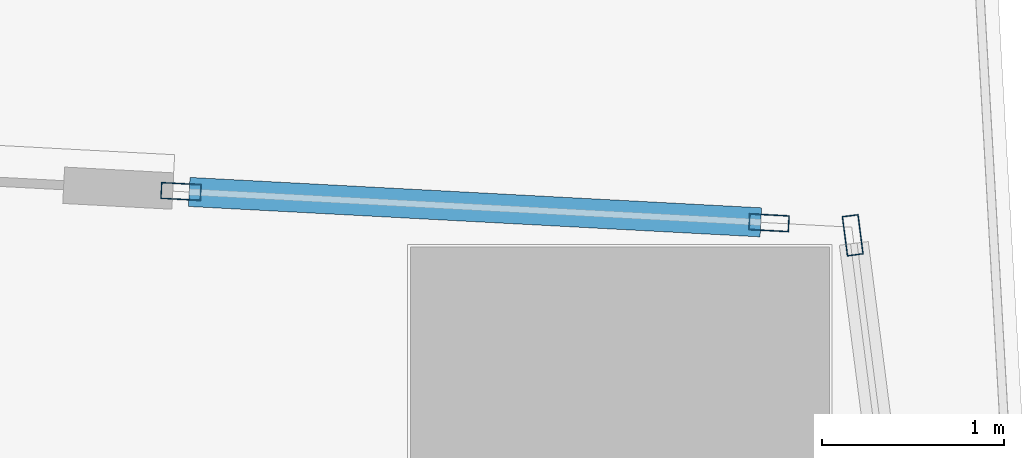
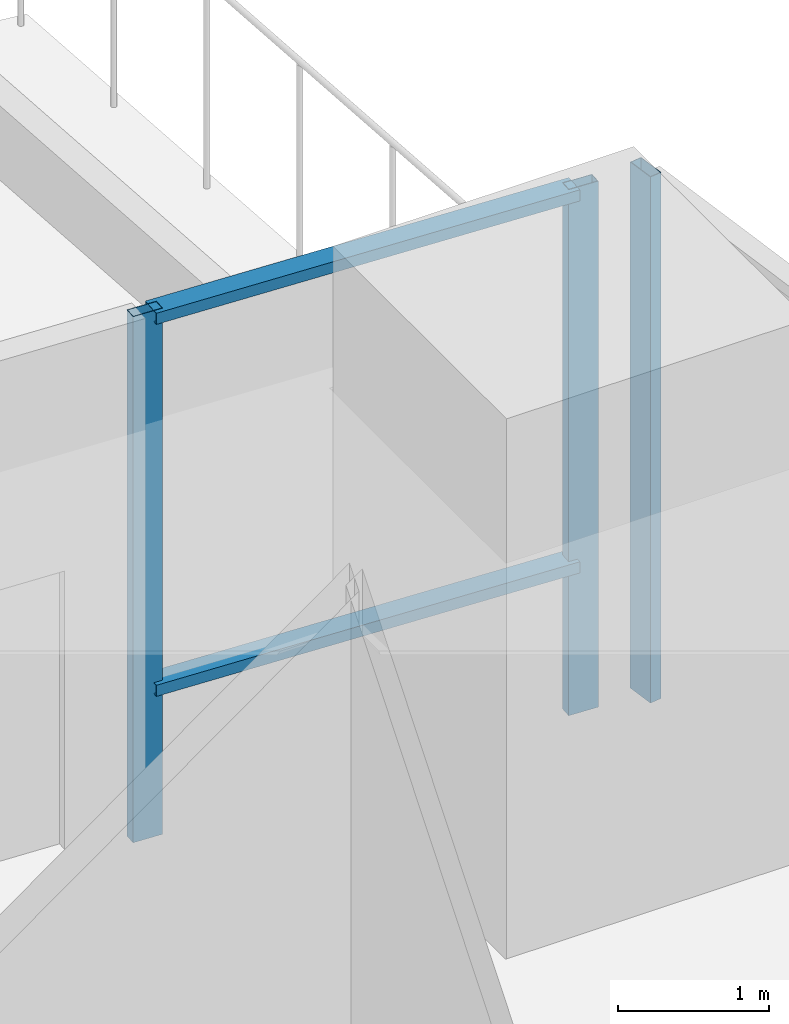
# One storey, part 12 of 39: 5 members, 2 elements without a shape of their own.
"""IFC4 building model written with IfcOpenShell, lengths in metres."""

from ifc_helpers import new_model, si_unit, direction, frame, origin, origin_2d, place, context, subcontext, project, spatial, hollow_rectangle, extrude, material, material_profile, profile_set, type_object, element, aggregate, save


model = new_model("IFC4")

# Units and contexts
model_context = context("Model", 3, precision=1e-05, world=origin(), true_north=direction((0.0, 1.0)))
body_context = subcontext(model_context, "Body", "Model", "MODEL_VIEW")
ifc_project = project(units=[si_unit("LENGTHUNIT", "METRE"), si_unit("AREAUNIT", "SQUARE_METRE"), si_unit("VOLUMEUNIT", "CUBIC_METRE"), si_unit("PLANEANGLEUNIT", "RADIAN"), si_unit("MASSUNIT", "GRAM", prefix="KILO")], contexts=[model_context])

# Site, building, storey
site_placement = place(None, origin())
site = spatial("IfcSite", under=ifc_project, at=site_placement, CompositionType="ELEMENT")
building_placement = place(site_placement, origin())
building = spatial("IfcBuilding", under=site, at=building_placement, Name="Rekha Terrace Tower", CompositionType="ELEMENT")
storey_placement = place(building_placement, frame((0.0, 0.0, 245.60009765625)))
storey = spatial("IfcBuildingStorey", under=building, at=storey_placement, Name="L62", CompositionType="ELEMENT", Elevation=245.60009765625)

# Curtain wall, member
ifc_material_1 = material(Name="Aluminium framing", Category="aluminium")
curtain_wall_type = type_object("IfcCurtainWallType", Name="CW5 sky garden glazing", PredefinedType="USERDEFINED", material=ifc_material_1)
curtain_wall_1_placement = place(storey_placement, origin())
curtain_wall_1 = element("IfcCurtainWall", 1, at=curtain_wall_1_placement, inside=storey, type_object=curtain_wall_type, Name="CW5 sky garden curtain wall", ObjectType="SKY GARDEN CURTAIN WALL", PredefinedType="USERDEFINED")
ifc_material_2 = material(Name="Aluminium mullion section", Category="aluminium")
ifc_material_profile_1 = material_profile(ifc_material_2, hollow_rectangle(XDim=0.090087890625, YDim=0.219970703125, WallThickness=0.00390625, at=origin_2d()), Name="AL RHS 90x220")
ifc_profile_set_1 = profile_set([ifc_material_profile_1], Name="Aluminium mullion section")
member_type_1 = type_object("IfcMemberType", Name="CW5 mullion RHS 90 x 220", PredefinedType="MULLION", material=ifc_profile_set_1)
member_1_placement = place(storey_placement, frame((60.07861328125, 51.614501953125, 0.0), z_axis=(0.0, 0.0, 1.0), x_axis=(-0.991790949463, -0.127869904835, 0.0)))
member_1 = element("IfcMember", 2, at=member_1_placement, type_object=member_type_1, Name="CW5 mullion 2", PredefinedType="MULLION", context=body_context, shape_type="SweptSolid", body=[
    extrude(hollow_rectangle(XDim=0.090087890625, YDim=0.219970703125, WallThickness=0.00390625, at=origin_2d()), origin(), (0.0, 0.0, 1.0), 4.25),
])
aggregate(curtain_wall_1, [member_1])

# Curtain wall, members
curtain_wall_2_placement = place(storey_placement, origin())
curtain_wall_2 = element("IfcCurtainWall", 3, at=curtain_wall_2_placement, inside=storey, type_object=curtain_wall_type, Name="CW5 sky garden curtain wall", ObjectType="SKY GARDEN CURTAIN WALL", PredefinedType="USERDEFINED")
member_2_placement = place(storey_placement, frame((59.618896484375, 51.683349609375, 0.0), z_axis=(0.0, 0.0, 1.0), x_axis=(-0.053083275628, -0.998590089, 0.0)))
member_2 = element("IfcMember", 4, at=member_2_placement, type_object=member_type_1, Name="CW5 mullion 1", PredefinedType="MULLION", context=body_context, shape_type="SweptSolid", body=[
    extrude(hollow_rectangle(XDim=0.090087890625, YDim=0.219970703125, WallThickness=0.00390625, at=origin_2d()), origin(), (0.0, 0.0, 1.0), 4.25),
])
member_3_placement = place(storey_placement, frame((56.389892578125, 51.85498046875, 0.0), z_axis=(0.0, 0.0, 1.0), x_axis=(-0.053083275628, -0.998590089, 0.0)))
member_3 = element("IfcMember", 5, at=member_3_placement, type_object=member_type_1, Name="CW5 mullion 2", PredefinedType="MULLION", context=body_context, shape_type="SweptSolid", body=[
    extrude(hollow_rectangle(XDim=0.090087890625, YDim=0.219970703125, WallThickness=0.00390625, at=origin_2d()), origin(), (0.0, 0.0, 1.0), 4.25),
])
ifc_material_3 = material(Name="Aluminium transom section", Category="aluminium")
ifc_material_profile_2 = material_profile(ifc_material_3, hollow_rectangle(XDim=0.159912109375, YDim=0.090087890625, WallThickness=0.0029296875, at=origin_2d()), Name="AL RHS 160x90")
ifc_profile_set_2 = profile_set([ifc_material_profile_2], Name="Aluminium transom section")
member_type_2 = type_object("IfcMemberType", Name="CW5 transom RHS 90 x 160", PredefinedType="USERDEFINED", material=ifc_profile_set_2)
member_4_placement = place(storey_placement, frame((59.573974609375, 51.685546875, 1.199951171875), z_axis=(-0.998588064645, 0.053121343616, 0.0), x_axis=(-0.053121343616, -0.998588064645, 0.0)))
member_4 = element("IfcMember", 6, at=member_4_placement, type_object=member_type_2, Name="CW5 transom 1.2", ObjectType="TRANSOM", PredefinedType="USERDEFINED", context=body_context, shape_type="SweptSolid", body=[
    extrude(hollow_rectangle(XDim=0.159912109375, YDim=0.090087890625, WallThickness=0.0029296875, at=origin_2d()), origin(), (0.0, 0.0, 1.0), 3.1435546875),
])
member_5_placement = place(storey_placement, frame((59.573974609375, 51.685546875, 4.204833984375), z_axis=(-0.998588064645, 0.053121343616, 0.0), x_axis=(-0.053121343616, -0.998588064645, 0.0)))
member_5 = element("IfcMember", 7, at=member_5_placement, type_object=member_type_2, Name="CW5 transom 1.3", ObjectType="TRANSOM", PredefinedType="USERDEFINED", context=body_context, shape_type="SweptSolid", body=[
    extrude(hollow_rectangle(XDim=0.159912109375, YDim=0.090087890625, WallThickness=0.0029296875, at=origin_2d()), origin(), (0.0, 0.0, 1.0), 3.1435546875),
])
aggregate(curtain_wall_2, [member_2, member_3, member_4, member_5])

save(model, "model.ifc")
